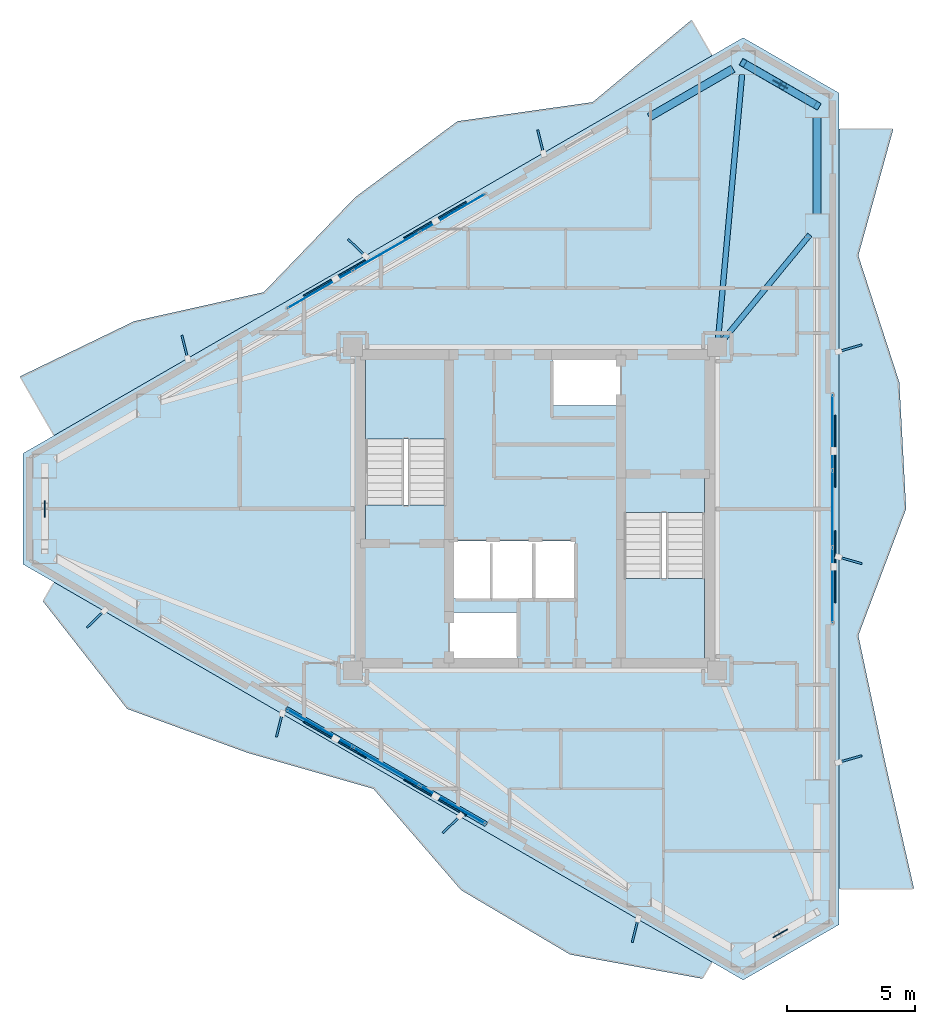
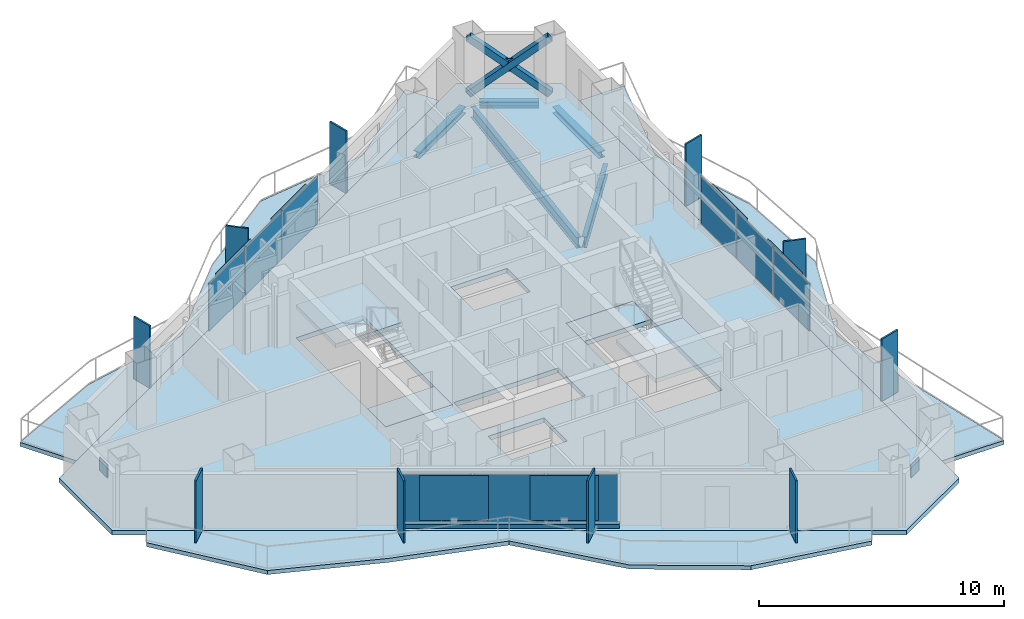
# One storey, part 15 of 21: 28 plates, 8 slabs, 5 beams, 3 members, 1 wall, 5 elements without a shape of their own.
"""IFC4 building model written with IfcOpenShell, lengths in metres."""

from ifc_helpers import new_model, si_unit, direction, frame, frame_2d, origin, origin_2d, place, context, subcontext, project, spatial, polyline, rectangle, hollow_rectangle, i_section, outline, extrude, material, layer, layer_set, material_profile, profile_set, type_object, element, aggregate, save


model = new_model("IFC4")

# Units and contexts
model_context = context("Model", 3, precision=1e-05, world=origin(), true_north=direction((0.0, 1.0)))
body_context = subcontext(model_context, "Body", "Model", "MODEL_VIEW")
ifc_project = project(units=[si_unit("LENGTHUNIT", "METRE"), si_unit("AREAUNIT", "SQUARE_METRE"), si_unit("VOLUMEUNIT", "CUBIC_METRE"), si_unit("PLANEANGLEUNIT", "RADIAN"), si_unit("MASSUNIT", "GRAM", prefix="KILO")], contexts=[model_context])

# Site, building, storey
site_placement = place(None, origin())
site = spatial("IfcSite", under=ifc_project, at=site_placement, CompositionType="ELEMENT")
building_placement = place(site_placement, origin())
building = spatial("IfcBuilding", under=site, at=building_placement, Name="Mersakhor Tower and Convention Hall", CompositionType="ELEMENT")
storey_placement = place(building_placement, frame((0.0, 0.0, 178.800048828125)))
storey = spatial("IfcBuildingStorey", under=building, at=storey_placement, Name="L49", CompositionType="ELEMENT", Elevation=178.800048828125)

# Beams
ifc_material_1 = material(Name="Steel S355", Category="steel")
ifc_material_profile_1 = material_profile(ifc_material_1, i_section(OverallWidth=0.2099609375, OverallDepth=0.53662109375, WebThickness=0.0107421875, FlangeThickness=0.017333984375, at=origin_2d()), Name="UB 533x210x101")
ifc_profile_set_1 = profile_set([ifc_material_profile_1], Name="Steel S355")
beam_type_1 = type_object("IfcBeamType", Name="BM-FB-533", PredefinedType="BEAM", material=ifc_profile_set_1)
beam_1_placement = place(storey_placement, frame((36.132080078125, 33.403564453125, -0.49853515625), z_axis=(0.09035626971, 0.995909506192, 0.0), x_axis=(-0.995909506192, 0.09035626971, 0.0)))
element("IfcBeam", 1, at=beam_1_placement, inside=storey, type_object=beam_type_1, Name="L49 Primary Floor Girder FG-2", PredefinedType="BEAM", context=body_context, shape_type="SweptSolid", body=[
    extrude(i_section(OverallWidth=0.2099609375, OverallDepth=0.53662109375, WebThickness=0.0107421875, FlangeThickness=0.017333984375, at=origin_2d()), origin(), (0.0, 0.0, 1.0), 10.302734375),
])
beam_2_placement = place(storey_placement, frame((36.32568359375, 33.32421875, -0.49853515625), z_axis=(0.635639529599, 0.77198600273, 0.0), x_axis=(-0.77198600273, 0.635639529599, 0.0)))
element("IfcBeam", 2, at=beam_2_placement, inside=storey, type_object=beam_type_1, Name="L49 Primary Floor Girder FG-3", PredefinedType="BEAM", context=body_context, shape_type="SweptSolid", body=[
    extrude(i_section(OverallWidth=0.2099609375, OverallDepth=0.53662109375, WebThickness=0.0107421875, FlangeThickness=0.017333984375, at=origin_2d()), origin(), (0.0, 0.0, 1.0), 5.307373046875),
])
ifc_material_2 = material(Name="Steel S355", Category="steel")
ifc_material_profile_2 = material_profile(ifc_material_2, i_section(OverallWidth=0.30908203125, OverallDepth=0.320556640625, WebThickness=0.013916015625, FlangeThickness=0.021728515625, at=origin_2d()), Name="UC 305x305x137")
ifc_profile_set_2 = profile_set([ifc_material_profile_2], Name="Steel S355")
beam_type_2 = type_object("IfcBeamType", Name="BM-SPD-UC305", PredefinedType="SPANDREL", material=ifc_profile_set_2)
beam_3_placement = place(storey_placement, frame((33.44580078125, 42.005126953125, -0.39013671875), z_axis=(0.866046450459, 0.499963544319, 0.0), x_axis=(-0.499963544319, 0.866046450459, 0.0)))
element("IfcBeam", 3, at=beam_3_placement, inside=storey, type_object=beam_type_2, Name="L49 Perimeter Spandrel Beam SPB-03", PredefinedType="SPANDREL", context=body_context, shape_type="SweptSolid", body=[
    extrude(i_section(OverallWidth=0.30908203125, OverallDepth=0.320556640625, WebThickness=0.013916015625, FlangeThickness=0.021728515625, at=origin_2d()), origin(), (0.0, 0.0, 1.0), 3.769287109375),
])
beam_4_placement = place(storey_placement, frame((37.498046875, 43.8896484375, -0.39013671875), z_axis=(0.86605626798, -0.499946537834, 0.0), x_axis=(0.499946537834, 0.86605626798, 0.0)))
element("IfcBeam", 4, at=beam_4_placement, inside=storey, type_object=beam_type_2, Name="L49 Perimeter Spandrel Beam SPB-04", PredefinedType="SPANDREL", context=body_context, shape_type="SweptSolid", body=[
    extrude(i_section(OverallWidth=0.30908203125, OverallDepth=0.320556640625, WebThickness=0.013916015625, FlangeThickness=0.021728515625, at=origin_2d()), origin(), (0.0, 0.0, 1.0), 2.420654296875),
])
beam_5_placement = place(storey_placement, frame((39.98828125, 41.9970703125, -0.39013671875), z_axis=(0.0, -1.0, 0.0), x_axis=(1.0, 0.0, 0.0)))
element("IfcBeam", 5, at=beam_5_placement, inside=storey, type_object=beam_type_2, Name="L49 Perimeter Spandrel Beam SPB-05", PredefinedType="SPANDREL", context=body_context, shape_type="SweptSolid", body=[
    extrude(i_section(OverallWidth=0.30908203125, OverallDepth=0.320556640625, WebThickness=0.013916015625, FlangeThickness=0.021728515625, at=origin_2d()), origin(), (0.0, 0.0, 1.0), 3.769287109375),
])

# Members
ifc_material_3 = material(Name="Steel S355", Category="steel")
ifc_material_profile_3 = material_profile(ifc_material_3, hollow_rectangle(XDim=0.300048828125, YDim=0.300048828125, WallThickness=0.01611328125, at=origin_2d()), Name="SHS 300x300x16")
ifc_profile_set_3 = profile_set([ifc_material_profile_3], Name="Steel S355")
member_type = type_object("IfcMemberType", Name="MB-BRC-SHS300", PredefinedType="BRACE", material=ifc_profile_set_3)
member_placement = place(storey_placement, frame((37.10400390625, 44.1171875, 0.14990234375), z_axis=(0.665824923443, -0.384424564314, 0.639448923429), x_axis=(0.50001011158, 0.866019565782, 0.0)))
element("IfcMember", 6, at=member_placement, inside=storey, type_object=member_type, Name="L49 Chamfer Braced Frame Diagonal CB-1A", PredefinedType="BRACE", context=body_context, shape_type="SweptSolid", body=[
    extrude(hollow_rectangle(XDim=0.300048828125, YDim=0.300048828125, WallThickness=0.01611328125, at=origin_2d()), origin(), (0.0, 0.0, 1.0), 4.331787109375),
])
for number, where, z_axis, x_axis, name in (
    (7, (39.98828125, 42.451904296875, 0.14990234375), (-0.665711462011, 0.384476371073, 0.639535901599), (-0.500124558158, -0.865953478154, 0.0), "L49 Chamfer Braced Frame Diagonal CB-1B Lower Half"),
    (8, (38.439208984375, 43.34619140625, 1.6376953125), (-0.665831077073, 0.384475140135, 0.639412107659), (-0.50005597947, -0.86599308161, 0.0), "L49 Chamfer Braced Frame Diagonal CB-1B Upper Half"),
):
    element("IfcMember", number, at=place(storey_placement, frame(where, z_axis=z_axis, x_axis=x_axis)), inside=storey, type_object=member_type, Name=name, PredefinedType="BRACE", context=body_context, shape_type="SweptSolid", body=[
        extrude(hollow_rectangle(XDim=0.300048828125, YDim=0.300048828125, WallThickness=0.01611328125, at=origin_2d()), origin(), (0.0, 0.0, 1.0), 2.00537109375),
    ])

# Curtain wall, plates
ifc_material_4 = material(Name="Dark solar low-E aluminium curtain wall", Category="aluminium")
ifc_layer_1 = layer(ifc_material_4, 0.169921875)
ifc_layer_set_1 = layer_set([ifc_layer_1], Name="Dark solar low-E aluminium curtain wall")
curtain_wall_type = type_object("IfcCurtainWallType", Name="CW-SYS-02", PredefinedType="USERDEFINED", material=ifc_layer_set_1)
curtain_wall_1_placement = place(storey_placement, origin())
curtain_wall_1 = element("IfcCurtainWall", 9, at=curtain_wall_1_placement, inside=storey, type_object=curtain_wall_type, Name="L49 Dark-Glass Curtain Wall F1-B2", ObjectType="CURTAIN WALL", PredefinedType="USERDEFINED")
ifc_material_5 = material(Name="Dark solar double glazing", Category="glass")
ifc_layer_2 = layer(ifc_material_5, 0.028076171875)
ifc_layer_set_2 = layer_set([ifc_layer_2], Name="Dark solar double glazing")
plate_type_1 = type_object("IfcPlateType", Name="CWP-GLZ-28", PredefinedType="CURTAIN_PANEL", material=ifc_layer_set_2)
plate_1_placement = place(storey_placement, frame((20.624267578125, 35.29541015625, 0.260009765625), z_axis=(0.0, 0.0, 1.0), x_axis=(0.86602088627, 0.500007824483, 0.0)))
plate_1 = element("IfcPlate", 10, at=plate_1_placement, type_object=plate_type_1, Name="CW-02 panel 1.1", PredefinedType="CURTAIN_PANEL", context=body_context, shape_type="SweptSolid", body=[
    extrude(rectangle(XDim=2.88720703125, YDim=0.028076171875, at=origin_2d()), origin(), (0.0, 0.0, 1.0), 2.3701171875),
])
plate_2_placement = place(storey_placement, frame((23.205810546875, 36.785888671875, 0.260009765625), z_axis=(0.0, 0.0, 1.0), x_axis=(0.86602088627, 0.500007824483, 0.0)))
plate_2 = element("IfcPlate", 11, at=plate_2_placement, type_object=plate_type_1, Name="CW-02 panel 2.1", PredefinedType="CURTAIN_PANEL", context=body_context, shape_type="SweptSolid", body=[
    extrude(rectangle(XDim=2.924560546875, YDim=0.028076171875, at=origin_2d()), origin(), (0.0, 0.0, 1.0), 2.3701171875),
])
plate_3_placement = place(storey_placement, frame((25.787353515625, 38.2763671875, 0.260009765625), z_axis=(0.0, 0.0, 1.0), x_axis=(0.86602088627, 0.500007824483, 0.0)))
plate_3 = element("IfcPlate", 12, at=plate_3_placement, type_object=plate_type_1, Name="CW-02 panel 3.1", PredefinedType="CURTAIN_PANEL", context=body_context, shape_type="SweptSolid", body=[
    extrude(rectangle(XDim=2.88720703125, YDim=0.028076171875, at=origin_2d()), origin(), (0.0, 0.0, 1.0), 2.3701171875),
])
aggregate(curtain_wall_1, [plate_1, plate_2, plate_3])

curtain_wall_2_placement = place(storey_placement, origin())
curtain_wall_2 = element("IfcCurtainWall", 13, at=curtain_wall_2_placement, inside=storey, type_object=curtain_wall_type, Name="L49 Dark-Glass Curtain Wall F2-B2", ObjectType="CURTAIN WALL", PredefinedType="USERDEFINED")
plate_4_placement = place(storey_placement, frame((40.58837890625, 29.73095703125, 0.260009765625), z_axis=(0.0, 0.0, 1.0), x_axis=(0.0, -1.0, 0.0)))
plate_4 = element("IfcPlate", 14, at=plate_4_placement, type_object=plate_type_1, Name="CW-02 panel 1.1", PredefinedType="CURTAIN_PANEL", context=body_context, shape_type="SweptSolid", body=[
    extrude(rectangle(XDim=2.88720703125, YDim=0.028076171875, at=origin_2d()), origin(), (0.0, 0.0, 1.0), 2.3701171875),
])
plate_5_placement = place(storey_placement, frame((40.58837890625, 26.75, 0.260009765625), z_axis=(0.0, 0.0, 1.0), x_axis=(0.0, -1.0, 0.0)))
plate_5 = element("IfcPlate", 15, at=plate_5_placement, type_object=plate_type_1, Name="CW-02 panel 2.1", PredefinedType="CURTAIN_PANEL", context=body_context, shape_type="SweptSolid", body=[
    extrude(rectangle(XDim=2.924560546875, YDim=0.028076171875, at=origin_2d()), origin(), (0.0, 0.0, 1.0), 2.3701171875),
])
plate_6_placement = place(storey_placement, frame((40.58837890625, 23.76904296875, 0.260009765625), z_axis=(0.0, 0.0, 1.0), x_axis=(0.0, -1.0, 0.0)))
plate_6 = element("IfcPlate", 16, at=plate_6_placement, type_object=plate_type_1, Name="CW-02 panel 3.1", PredefinedType="CURTAIN_PANEL", context=body_context, shape_type="SweptSolid", body=[
    extrude(rectangle(XDim=2.88720703125, YDim=0.028076171875, at=origin_2d()), origin(), (0.0, 0.0, 1.0), 2.3701171875),
])
aggregate(curtain_wall_2, [plate_4, plate_5, plate_6])

curtain_wall_3_placement = place(storey_placement, origin())
curtain_wall_3 = element("IfcCurtainWall", 17, at=curtain_wall_3_placement, inside=storey, type_object=curtain_wall_type, Name="L49 Dark-Glass Curtain Wall F3-B2", ObjectType="CURTAIN WALL", PredefinedType="USERDEFINED")
plate_7_placement = place(storey_placement, frame((25.787353515625, 15.2236328125, 0.260009765625), z_axis=(0.0, 0.0, 1.0), x_axis=(-0.86602088627, 0.500007824483, 0.0)))
plate_7 = element("IfcPlate", 18, at=plate_7_placement, type_object=plate_type_1, Name="CW-02 panel 1.1", PredefinedType="CURTAIN_PANEL", context=body_context, shape_type="SweptSolid", body=[
    extrude(rectangle(XDim=2.88720703125, YDim=0.028076171875, at=origin_2d()), origin(), (0.0, 0.0, 1.0), 2.3701171875),
])
plate_8_placement = place(storey_placement, frame((23.205810546875, 16.714111328125, 0.260009765625), z_axis=(0.0, 0.0, 1.0), x_axis=(-0.86602088627, 0.500007824483, 0.0)))
plate_8 = element("IfcPlate", 19, at=plate_8_placement, type_object=plate_type_1, Name="CW-02 panel 2.1", PredefinedType="CURTAIN_PANEL", context=body_context, shape_type="SweptSolid", body=[
    extrude(rectangle(XDim=2.924560546875, YDim=0.028076171875, at=origin_2d()), origin(), (0.0, 0.0, 1.0), 2.3701171875),
])
plate_9_placement = place(storey_placement, frame((20.624267578125, 18.20458984375, 0.260009765625), z_axis=(0.0, 0.0, 1.0), x_axis=(-0.86602088627, 0.500007824483, 0.0)))
plate_9 = element("IfcPlate", 20, at=plate_9_placement, type_object=plate_type_1, Name="CW-02 panel 3.1", PredefinedType="CURTAIN_PANEL", context=body_context, shape_type="SweptSolid", body=[
    extrude(rectangle(XDim=2.88720703125, YDim=0.028076171875, at=origin_2d()), origin(), (0.0, 0.0, 1.0), 2.3701171875),
])
aggregate(curtain_wall_3, [plate_7, plate_8, plate_9])

# Plates
ifc_material_6 = material(Name="Ceramic-clad aluminium Zone 4 terracotta-coral", Category="masonry")
ifc_material_7 = material(Name="Ceramic-clad aluminium Zone 1 cobalt-slate", Category="masonry")
ifc_layer_3 = layer(ifc_material_7, 0.080078125)
ifc_layer_set_3 = layer_set([ifc_layer_3], Name="Ceramic-clad aluminium Zone 1 cobalt-slate")
plate_type_2 = type_object("IfcPlateType", Name="PL-FIN-80", PredefinedType="USERDEFINED", material=ifc_layer_set_3)
for number, where, z_axis, x_axis, name in (
    (21, (15.361083984375, 33.049560546875, 0.0), (0.0, 0.0, 1.0), (-0.2419218956, 0.970295726276, 0.0), "L49 Zone 4 Coloured Brise-Soleil Fin F1-1"),
    (22, (22.0625, 36.918701171875, 0.0), (0.0, 0.0, 1.0), (-0.719339800339, 0.694658370459, 0.0), "L49 Zone 4 Coloured Brise-Soleil Fin F1-2"),
    (23, (29.217529296875, 41.049560546875, 0.0), (0.0, 0.0, 1.0), (-0.2419218956, 0.970295726276, 0.0), "L49 Zone 4 Coloured Brise-Soleil Fin F1-3"),
    (24, (41.27490234375, 33.007080078125, 0.0), (0.0, 0.0, 1.0), (0.961261695938, 0.275637355817, 0.0), "L49 Zone 4 Coloured Brise-Soleil Fin F2-1"),
    (25, (41.27490234375, 24.7451171875, 0.0), (0.0, 0.0, 1.0), (0.961261695938, -0.275637355817, 0.0), "L49 Zone 4 Coloured Brise-Soleil Fin F2-2"),
    (26, (41.27490234375, 17.007080078125, 0.0), (0.0, 0.0, 1.0), (0.961261695938, 0.275637355817, 0.0), "L49 Zone 4 Coloured Brise-Soleil Fin F2-3"),
    (27, (32.89990234375, 10.324462890625, 0.0), (0.0, 0.0, 1.0), (-0.2419218956, -0.970295726276, 0.0), "L49 Zone 4 Coloured Brise-Soleil Fin F3-1"),
    (28, (25.7451171875, 14.455322265625, 0.0), (0.0, 0.0, 1.0), (-0.719339800339, -0.694658370459, 0.0), "L49 Zone 4 Coloured Brise-Soleil Fin F3-2"),
    (29, (19.043701171875, 18.324462890625, 0.0), (0.0, 0.0, 1.0), (-0.2419218956, -0.970295726276, 0.0), "L49 Zone 4 Coloured Brise-Soleil Fin F3-3"),
    (30, (11.888671875, 22.455322265625, 0.0), (0.0, 0.0, 1.0), (-0.719339800339, -0.694658370459, 0.0), "L49 Zone 4 Coloured Brise-Soleil Fin F3-4"),
):
    element("IfcPlate", number, at=place(storey_placement, frame(where, z_axis=z_axis, x_axis=x_axis)), inside=storey, type_object=plate_type_2, material=ifc_material_6, Name=name, ObjectType="FIN", PredefinedType="USERDEFINED", context=body_context, shape_type="SweptSolid", body=[
        extrude(rectangle(XDim=0.949951171875, YDim=0.080078125, at=origin_2d()), origin(), (0.0, 0.0, 1.0), 3.10009765625),
    ])
ifc_material_8 = material(Name="Steel S460", Category="steel")
ifc_layer_4 = layer(ifc_material_8, 0.0400390625)
ifc_layer_set_4 = layer_set([ifc_layer_4], Name="Steel S460")
plate_type_3 = type_object("IfcPlateType", Name="PL-GUSSET-40", PredefinedType="SHEET", material=ifc_layer_set_4)
for number, where, z_axis, x_axis, name in (
    (31, (38.54638671875, 43.28466796875, 1.21484375), (0.0, 0.0, 1.0), (-0.866025403784, 0.5, 0.0), "L49 X-Brace Crossing Gusset Node Plate"),
    (32, (38.54638671875, 10.21533203125, 1.21484375), (0.0, 0.0, 1.0), (0.866025403784, 0.5, 0.0), "L49 X-Brace Crossing Gusset Node Plate"),
    (33, (9.907470703125, 26.75, 1.21484375), (0.0, 0.0, 1.0), (0.0, -1.0, 0.0), "L49 X-Brace Crossing Gusset Node Plate"),
):
    element("IfcPlate", number, at=place(storey_placement, frame(where, z_axis=z_axis, x_axis=x_axis)), inside=storey, type_object=plate_type_3, Name=name, PredefinedType="SHEET", context=body_context, shape_type="SweptSolid", body=[
        extrude(rectangle(XDim=0.639892578125, YDim=0.0400390625, at=origin_2d()), origin(), (0.0, 0.0, 1.0), 0.639892578125),
    ])
ifc_material_9 = material(Name="Perforated ceramic cobogo solar screen", Category="aluminium")
ifc_layer_5 = layer(ifc_material_9, 0.055908203125)
ifc_layer_set_5 = layer_set([ifc_layer_5], Name="Perforated ceramic cobogo solar screen")
plate_type_4 = type_object("IfcPlateType", Name="PL-SCR-56", PredefinedType="USERDEFINED", material=ifc_layer_set_5)
for number, where, z_axis, x_axis, name in (
    (34, (21.20849609375, 35.745849609375, 0.39990234375), (0.0, 0.0, 1.0), (0.866025403784, 0.5, 0.0), "L49 Perforated Ceramic Solar Screen F1-1"),
    (35, (25.10498046875, 37.99560546875, 0.39990234375), (0.0, 0.0, 1.0), (0.866025403784, 0.5, 0.0), "L49 Perforated Ceramic Solar Screen F1-2"),
    (36, (40.686279296875, 28.999755859375, 0.39990234375), (0.0, 0.0, 1.0), (0.0, -1.0, 0.0), "L49 Perforated Ceramic Solar Screen F2-1"),
    (37, (40.686279296875, 24.500244140625, 0.39990234375), (0.0, 0.0, 1.0), (0.0, -1.0, 0.0), "L49 Perforated Ceramic Solar Screen F2-2"),
    (38, (25.10498046875, 15.50439453125, 0.39990234375), (0.0, 0.0, 1.0), (-0.866025403784, 0.5, 0.0), "L49 Perforated Ceramic Solar Screen F3-1"),
    (39, (21.20849609375, 17.754150390625, 0.39990234375), (0.0, 0.0, 1.0), (-0.866025403784, 0.5, 0.0), "L49 Perforated Ceramic Solar Screen F3-2"),
):
    element("IfcPlate", number, at=place(storey_placement, frame(where, z_axis=z_axis, x_axis=x_axis)), inside=storey, type_object=plate_type_4, Name=name, ObjectType="SCREEN", PredefinedType="USERDEFINED", context=body_context, shape_type="SweptSolid", body=[
        extrude(rectangle(XDim=2.800048828125, YDim=0.055908203125, at=origin_2d()), origin(), (0.0, 0.0, 1.0), 2.239990234375),
    ])

# Slabs
ifc_material_10 = material(Name="Concrete C45/55", Category="concrete")
ifc_layer_6 = layer(ifc_material_10, 0.199951171875)
ifc_layer_set_6 = layer_set([ifc_layer_6], Name="Concrete C45/55")
slab_type_1 = type_object("IfcSlabType", Name="SL-BAL-200", PredefinedType="FLOOR", material=ifc_layer_set_6)
slab_1_placement = place(storey_placement, frame((0.0, 0.0, -0.199951171875)))
element("IfcSlab", 40, at=slab_1_placement, inside=storey, type_object=slab_type_1, Name="L49 Sinusoidal Balcony Slab Face 1", PredefinedType="FLOOR", context=body_context, shape_type="SweptSolid", body=[
    extrude(outline(polyline([(10.27001953125, 29.60595703125), (35.8916015625, 44.398681640625), (35.089599609375, 45.78759765625), (31.243896484375, 42.587158203125), (25.9794921875, 41.843505859375), (21.99560546875, 38.882080078125), (18.435546875, 35.186279296875), (13.3935546875, 34.057373046875), (8.942138671875, 31.90576171875), (10.27001953125, 29.60595703125)])), origin(), (0.0, 0.0, 1.0), 0.199951171875),
])
slab_2_placement = place(storey_placement, frame((0.0, 0.0, -0.199951171875)))
element("IfcSlab", 41, at=slab_2_placement, inside=storey, type_object=slab_type_1, Name="L49 Sinusoidal Balcony Slab Face 2", PredefinedType="FLOOR", context=body_context, shape_type="SweptSolid", body=[
    extrude(outline(polyline([(40.83837890625, 41.542724609375), (40.83837890625, 11.957275390625), (43.75830078125, 11.957275390625), (42.632568359375, 16.88818359375), (41.58837890625, 21.819091796875), (43.45068359375, 26.75), (43.185791015625, 31.680908203125), (41.58837890625, 36.61181640625), (42.95166015625, 41.542724609375), (40.83837890625, 41.542724609375)])), origin(), (0.0, 0.0, 1.0), 0.199951171875),
])
slab_3_placement = place(storey_placement, frame((0.0, 0.0, -0.199951171875)))
element("IfcSlab", 42, at=slab_3_placement, inside=storey, type_object=slab_type_1, Name="L49 Sinusoidal Balcony Slab Face 3", PredefinedType="FLOOR", context=body_context, shape_type="SweptSolid", body=[
    extrude(outline(polyline([(35.8916015625, 9.101318359375), (10.27001953125, 23.89404296875), (9.837890625, 23.145751953125), (13.11474609375, 18.959716796875), (17.818115234375, 17.244384765625), (22.705810546875, 15.84814453125), (26.12060546875, 11.90087890625), (30.3662109375, 9.392822265625), (35.5166015625, 8.451904296875), (35.8916015625, 9.101318359375)])), origin(), (0.0, 0.0, 1.0), 0.199951171875),
])
ifc_material_11 = material(Name="Concrete C40/50", Category="concrete")
ifc_layer_7 = layer(ifc_material_11, 0.22998046875)
ifc_layer_set_7 = layer_set([ifc_layer_7], Name="Concrete C40/50")
slab_type_2 = type_object("IfcSlabType", Name="SL-FLR-230", PredefinedType="FLOOR", material=ifc_layer_set_7)
slab_4_placement = place(storey_placement, frame((0.0, 0.0, -0.22998046875)))
element("IfcSlab", 43, at=slab_4_placement, inside=storey, type_object=slab_type_2, Name="L49 ST-1 Structural Stair Floor Landing", PredefinedType="LANDING", context=body_context, shape_type="SweptSolid", body=[
    extrude(outline(polyline([(25.550048828125, 25.39990234375), (25.550048828125, 26.89990234375), (22.39990234375, 26.89990234375), (22.39990234375, 25.39990234375), (25.550048828125, 25.39990234375)])), origin(), (0.0, 0.0, 1.0), 0.22998046875),
])
slab_5_placement = place(storey_placement, frame((0.0, 0.0, -0.22998046875)))
element("IfcSlab", 44, at=slab_5_placement, inside=storey, type_object=slab_type_2, Name="L49 ST-2 Structural Stair Floor Landing", PredefinedType="LANDING", context=body_context, shape_type="SweptSolid", body=[
    extrude(outline(polyline([(32.449951171875, 28.10009765625), (32.449951171875, 26.60009765625), (35.60009765625, 26.60009765625), (35.60009765625, 28.10009765625), (32.449951171875, 28.10009765625)])), origin(), (0.0, 0.0, 1.0), 0.22998046875),
])
slab_6_placement = place(storey_placement, frame((0.0, 0.0, -0.22998046875)))
element("IfcSlab", 45, at=slab_6_placement, inside=storey, type_object=slab_type_2, Name="Tower L49 Structural Floor Slab", PredefinedType="FLOOR", context=body_context, shape_type="SweptSolid", body=[
    extrude(outline(polyline([(9.0576171875, 28.906005859375), (37.10400390625, 45.0986328125), (40.83837890625, 42.942626953125), (40.83837890625, 10.557373046875), (37.10400390625, 8.4013671875), (9.0576171875, 24.593994140625), (9.0576171875, 28.906005859375)]), holes=[polyline([(25.550048828125, 25.39990234375), (25.550048828125, 32.699951171875), (22.39990234375, 32.699951171875), (22.39990234375, 25.39990234375), (25.550048828125, 25.39990234375)]), polyline([(32.449951171875, 28.10009765625), (32.449951171875, 20.800048828125), (35.60009765625, 20.800048828125), (35.60009765625, 28.10009765625), (32.449951171875, 28.10009765625)]), polyline([(25.679931640625, 20.820068359375), (25.679931640625, 22.719970703125), (28.320068359375, 22.719970703125), (28.320068359375, 20.820068359375), (25.679931640625, 20.820068359375)]), polyline([(29.679931640625, 30.780029296875), (29.679931640625, 32.679931640625), (32.320068359375, 32.679931640625), (32.320068359375, 30.780029296875), (29.679931640625, 30.780029296875)]), polyline([(25.679931640625, 23.25), (25.679931640625, 25.5), (30.570068359375, 25.5), (30.570068359375, 23.25), (25.679931640625, 23.25)])]), origin(), (0.0, 0.0, 1.0), 0.22998046875),
])

# Stair, slab
ifc_material_12 = material(Name="Concrete C45/55", Category="concrete")
stair_type = type_object("IfcStairType", Name="ST-TWR-20R", PredefinedType="HALF_TURN_STAIR", material=ifc_material_12)
stair_1_placement = place(storey_placement, origin())
stair_1 = element("IfcStair", 46, at=stair_1_placement, inside=storey, type_object=stair_type, Name="L49 Tower Protected Exit Stair ST-1", PredefinedType="HALF_TURN_STAIR")
ifc_material_13 = material(Name="Concrete C45/55", Category="concrete")
ifc_layer_8 = layer(ifc_material_13, 0.199951171875)
ifc_layer_set_8 = layer_set([ifc_layer_8], Name="Concrete C45/55")
slab_type_3 = type_object("IfcSlabType", Name="SL-LAND-200", PredefinedType="LANDING", material=ifc_layer_set_8)
slab_7_placement = place(storey_placement, frame((0.0, 0.0, 1.449951171875)))
slab_7 = element("IfcSlab", 47, at=slab_7_placement, type_object=slab_type_3, Name="ST-1 landing 1", PredefinedType="LANDING", context=body_context, shape_type="SweptSolid", body=[
    extrude(outline(polyline([(25.550048828125, 29.465087890625), (25.550048828125, 32.699951171875), (22.39990234375, 32.699951171875), (22.39990234375, 29.465087890625), (25.550048828125, 29.465087890625)])), origin(), (0.0, 0.0, 1.0), 0.199951171875),
])
aggregate(stair_1, [slab_7])

stair_2_placement = place(storey_placement, origin())
stair_2 = element("IfcStair", 48, at=stair_2_placement, inside=storey, type_object=stair_type, Name="L49 Tower Protected Exit Stair ST-2", PredefinedType="HALF_TURN_STAIR")
slab_8_placement = place(storey_placement, frame((0.0, 0.0, 1.449951171875)))
slab_8 = element("IfcSlab", 49, at=slab_8_placement, type_object=slab_type_3, Name="ST-2 landing 1", PredefinedType="LANDING", context=body_context, shape_type="SweptSolid", body=[
    extrude(outline(polyline([(32.449951171875, 24.034912109375), (32.449951171875, 20.800048828125), (35.60009765625, 20.800048828125), (35.60009765625, 24.034912109375), (32.449951171875, 24.034912109375)])), origin(), (0.0, 0.0, 1.0), 0.199951171875),
])
aggregate(stair_2, [slab_8])

# Wall
ifc_material_14 = material(Name="Precast concrete C40/50", Category="concrete")
ifc_layer_9 = layer(ifc_material_14, 0.199951171875)
ifc_layer_set_9 = layer_set([ifc_layer_9], Name="Precast concrete C40/50")
wall_type = type_object("IfcWallType", Name="WL-PAR-200", PredefinedType="PARAPET", material=ifc_layer_set_9)
wall_placement = place(storey_placement, frame((27.102294921875, 14.46435546875, 0.0), z_axis=(0.0, 0.0, 1.0), x_axis=(-0.866020680503, 0.500008180874, 0.0)))
element("IfcWall", 50, at=wall_placement, inside=storey, type_object=wall_type, Name="L49 Curtain Wall Upstand Sill F3-B2", PredefinedType="PARAPET", context=body_context, shape_type="SweptSolid", body=[
    extrude(rectangle(XDim=8.998779296875, YDim=0.199951171875, at=frame_2d((4.49951171875, 0.0))), origin(), (0.0, 0.0, 1.0), 0.199951171875),
])

save(model, "model.ifc")
